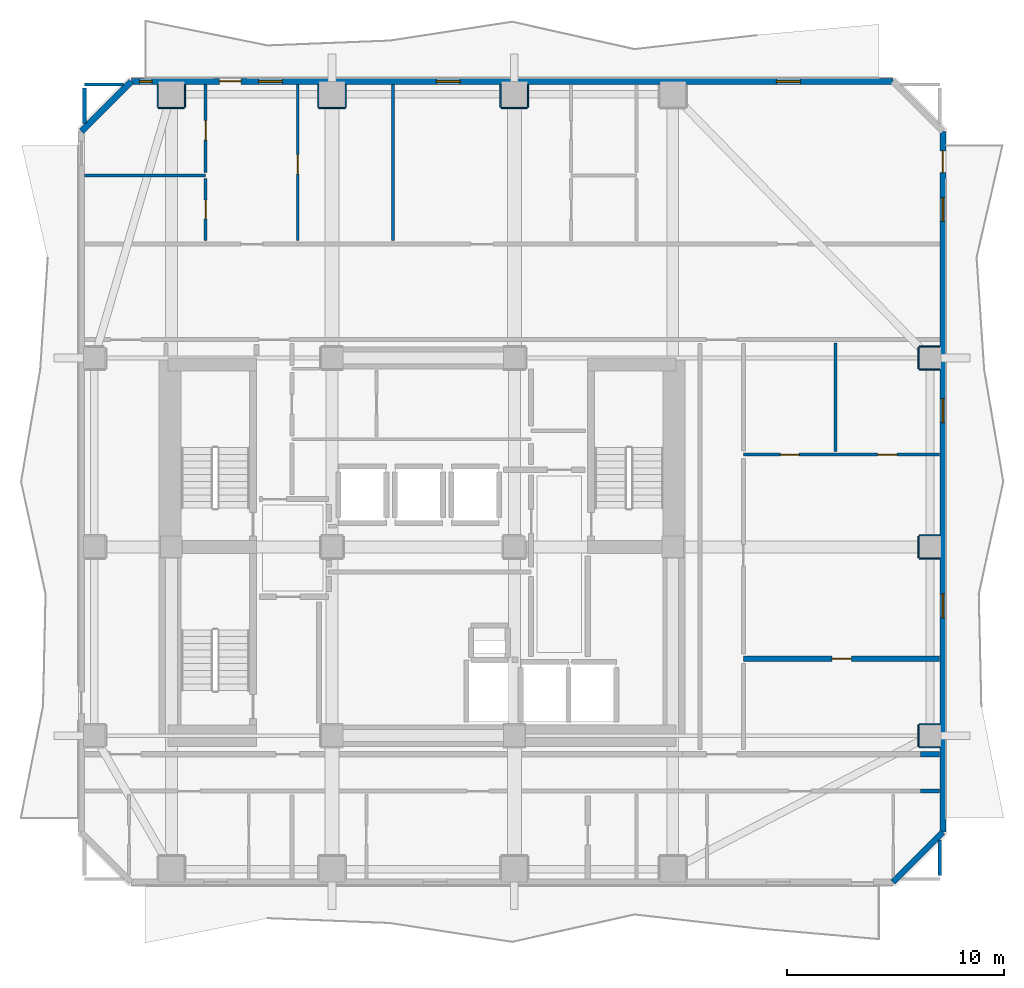
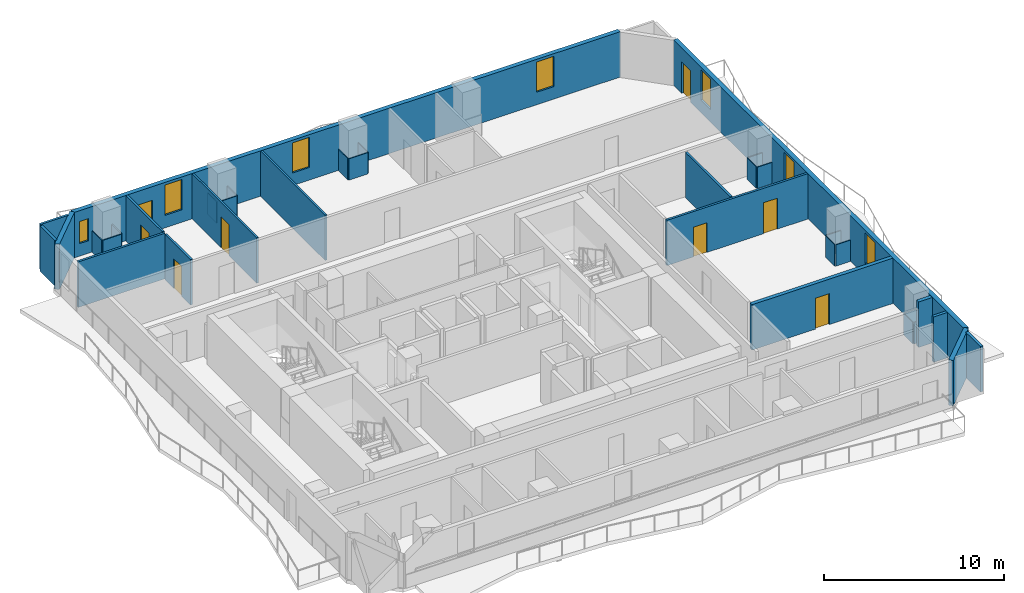
# One storey, part 5 of 9: 35 walls, 8 doors, 7 windows, 15 openings.
"""IFC4 building model written with IfcOpenShell, lengths in metres."""

import ifcopenshell
import ifcopenshell.guid

model = None  # the IFC model being written
_history = None  # IfcOwnerHistory: only IFC2X3 demands one
_inside = {}  # id of a spatial element -> (the spatial element, [elements in it])
_under = {}  # id of a project, library or spatial element -> (it, [spatial elements below it])
_declared = {}  # id of a project -> (the project, [libraries it declares])
_typed = {}  # id of a type object -> (the type object, [elements of that type])
_made_of = {}  # id of a material, layer set ... -> (it, [elements and type objects made of it])


def new_model(schema):
    """Start an empty IFC model of exactly this schema.

    Asked for "IFC4X3", IfcOpenShell would pick the latest addendum, in which some entities
    have other attributes; the version numbers below select the first issue.
    IFC2X3 requires an IfcOwnerHistory on every rooted entity: one is made here for all.
    """
    global model, _history
    if schema == "IFC4X3":
        model = ifcopenshell.file(schema_version=(4, 3, 0, 0))
    else:
        model = ifcopenshell.file(schema=schema)
    _inside.clear()
    _under.clear()
    _declared.clear()
    _typed.clear()
    _made_of.clear()
    _history = None
    if model.schema == "IFC2X3":
        org = make("IfcOrganization", Name="unknown")
        user = make(
            "IfcPersonAndOrganization",
            ThePerson=make("IfcPerson", FamilyName="unknown"),
            TheOrganization=org,
        )
        app = make(
            "IfcApplication",
            ApplicationDeveloper=org,
            Version="unknown",
            ApplicationFullName="unknown",
            ApplicationIdentifier="unknown",
        )
        _history = make(
            "IfcOwnerHistory",
            OwningUser=user,
            OwningApplication=app,
            ChangeAction="ADDED",
            CreationDate=0,
        )
    return model


def make(cls, **values):
    """One entity of the class cls with the attributes given. An attribute that is None is left unset."""
    return model.create_entity(
        cls, **{name: value for name, value in values.items() if value is not None}
    )


def rooted(cls, **values):
    """An entity with a GlobalId (a new one), such as an element, a storey or a relation."""
    return make(cls, GlobalId=ifcopenshell.guid.new(), OwnerHistory=_history, **values)


def si_unit(unit_type, name, prefix=None):
    """IfcSIUnit, for example si_unit("LENGTHUNIT", "METRE", prefix="MILLI")."""
    return make("IfcSIUnit", UnitType=unit_type, Prefix=prefix, Name=name)


def assignment(units):
    """IfcUnitAssignment: the units of a project."""
    return None if units is None else make("IfcUnitAssignment", Units=units)


def point(xyz):
    """IfcCartesianPoint."""
    return None if xyz is None else make("IfcCartesianPoint", Coordinates=xyz)


def direction(xyz):
    """IfcDirection."""
    return None if xyz is None else make("IfcDirection", DirectionRatios=xyz)


def frame(location, z_axis=None, x_axis=None):
    """IfcAxis2Placement3D, a coordinate frame: its origin and axes. An axis left out is left unset."""
    return make(
        "IfcAxis2Placement3D",
        Location=point(location),
        Axis=direction(z_axis),
        RefDirection=direction(x_axis),
    )


def frame_2d(location, x_axis=None):
    """IfcAxis2Placement2D, a coordinate frame in the plane: its origin and x axis."""
    return make(
        "IfcAxis2Placement2D", Location=point(location), RefDirection=direction(x_axis)
    )


def origin():
    """The frame at (0, 0, 0) with its axes left unset."""
    return frame((0.0, 0.0, 0.0))


def place(relative_to, where):
    """IfcLocalPlacement: puts the frame where relative to a parent placement (None: the world)."""
    return make(
        "IfcLocalPlacement", PlacementRelTo=relative_to, RelativePlacement=where
    )


def context(
    kind, dimensions, precision=None, world=None, true_north=None, identifier=None
):
    """IfcGeometricRepresentationContext, for example the 3D "Model" context."""
    return make(
        "IfcGeometricRepresentationContext",
        ContextIdentifier=identifier,
        ContextType=kind,
        CoordinateSpaceDimension=dimensions,
        Precision=precision,
        WorldCoordinateSystem=world,
        TrueNorth=true_north,
    )


def subcontext(parent, identifier, kind, view, scale=None):
    """IfcGeometricRepresentationSubContext, for example "Body" below "Model"."""
    return make(
        "IfcGeometricRepresentationSubContext",
        ContextIdentifier=identifier,
        ContextType=kind,
        ParentContext=parent,
        TargetScale=scale,
        TargetView=view,
    )


def project(units=None, contexts=None):
    """IfcProject with its units and contexts."""
    return rooted(
        "IfcProject",
        Name="project",
        RepresentationContexts=contexts,
        UnitsInContext=assignment(units),
    )


def spatial(cls, under=None, at=None, **own):
    """A site, building, storey or space (cls), placed at a placement, below another one or the project."""
    s = rooted(cls, ObjectPlacement=at, **own)
    if under is not None:
        _under.setdefault(under.id(), (under, []))[1].append(s)
    return s


def profile(cls, at=None, kind="AREA", **sizes):
    """A parametric profile (cls). Its sizes go by their IFC names, for example OverallWidth=200.0."""
    return make(cls, ProfileType=kind, Position=at, **sizes)


def rectangle(**sizes):
    """IfcRectangleProfileDef."""
    return profile("IfcRectangleProfileDef", **sizes)


def extrude(swept, where, along, depth):
    """IfcExtrudedAreaSolid: the profile swept, set in the frame where, extruded along a direction by depth."""
    return make(
        "IfcExtrudedAreaSolid",
        SweptArea=swept,
        Position=where,
        ExtrudedDirection=direction(along),
        Depth=depth,
    )


def shape(context_of_items, identifier, shape_type, items):
    """IfcShapeRepresentation: the items that make up one representation, for example the "Body"."""
    return make(
        "IfcShapeRepresentation",
        ContextOfItems=context_of_items,
        RepresentationIdentifier=identifier,
        RepresentationType=shape_type,
        Items=items,
    )


def material(Name=None, Category=None):
    """IfcMaterial."""
    return make("IfcMaterial", Name=Name, Category=Category)


def layer(
    of_material, thickness, ventilated=None, Name=None, Category=None, Priority=None
):
    """IfcMaterialLayer: one layer of a wall or slab, of a material (None: an air gap)."""
    return make(
        "IfcMaterialLayer",
        Material=of_material,
        LayerThickness=thickness,
        IsVentilated=ventilated,
        Name=Name,
        Category=Category,
        Priority=Priority,
    )


def layer_set(layers, Name=None):
    """IfcMaterialLayerSet."""
    return make("IfcMaterialLayerSet", MaterialLayers=layers, LayerSetName=Name)


def made_of(thing, what):
    """Note that an element or type object is made of a material, layer set ...; save() writes the relation."""
    if what is not None:
        _made_of.setdefault(what.id(), (what, []))[1].append(thing)
    return thing


def type_object(cls, material=None, **own):
    """A type object (cls), such as IfcWallType, which elements share."""
    return made_of(rooted(cls, **own), material)


def element(
    cls,
    number,
    at=None,
    inside=None,
    cuts=None,
    type_object=None,
    material=None,
    context=None,
    identifier="Body",
    shape_type=None,
    held_by="IfcProductDefinitionShape",
    body=None,
    shapes=None,
    **own,
):
    """One element of the class cls, such as IfcWall. Its Tag is "e" and its number.

    at: its placement. inside: the storey or other place that contains it. cuts: it is an
    opening in that element (IfcRelVoidsElement). A single representation is given by context,
    identifier, shape_type and body (its items); several are given by shapes. held_by: the class
    of the entity that holds the representations. save() writes the other relations.
    """
    e = rooted(cls, Tag="e%d" % number, ObjectPlacement=at, **own)
    if body is not None:
        shapes = [shape(context, identifier, shape_type, body)]
    if shapes is not None:
        e.Representation = make(held_by, Representations=shapes)
    if inside is not None:
        _inside.setdefault(inside.id(), (inside, []))[1].append(e)
    if cuts is not None:
        rooted(
            "IfcRelVoidsElement", RelatingBuildingElement=cuts, RelatedOpeningElement=e
        )
    if type_object is not None:
        _typed.setdefault(type_object.id(), (type_object, []))[1].append(e)
    return made_of(e, material)


def fill(opening, filler):
    """IfcRelFillsElement: the door or window that sits in an opening."""
    return rooted(
        "IfcRelFillsElement",
        RelatingOpeningElement=opening,
        RelatedBuildingElement=filler,
    )


def aggregate(whole, parts):
    """IfcRelAggregates: a whole, such as a stair, and the parts it consists of."""
    return rooted("IfcRelAggregates", RelatingObject=whole, RelatedObjects=parts)


def save(model, path):
    """Write the relations noted so far, then the file.

    IfcRelAggregates (storeys below a building ...), IfcRelContainedInSpatialStructure (elements
    in a storey), IfcRelDefinesByType, IfcRelAssociatesMaterial and IfcRelDeclares: one each for
    every whole, place, type object, material and project.
    """
    for whole, parts in _under.values():
        aggregate(whole, parts)
    for where, things in _inside.values():
        rooted(
            "IfcRelContainedInSpatialStructure",
            RelatedElements=things,
            RelatingStructure=where,
        )
    for kind, things in _typed.values():
        rooted("IfcRelDefinesByType", RelatedObjects=things, RelatingType=kind)
    for what, things in _made_of.values():
        rooted("IfcRelAssociatesMaterial", RelatedObjects=things, RelatingMaterial=what)
    for by, libraries in _declared.values():
        rooted("IfcRelDeclares", RelatingContext=by, RelatedDefinitions=libraries)
    model.write(path)


model = new_model("IFC4")

# Units and contexts
model_context = context("Model", 3, precision=1e-05, world=origin(), true_north=direction((0.0, 1.0)))
body_context = subcontext(model_context, "Body", "Model", "MODEL_VIEW")
ifc_project = project(units=[si_unit("LENGTHUNIT", "METRE"), si_unit("AREAUNIT", "SQUARE_METRE"), si_unit("VOLUMEUNIT", "CUBIC_METRE"), si_unit("PLANEANGLEUNIT", "RADIAN"), si_unit("MASSUNIT", "GRAM", prefix="KILO")], contexts=[model_context])

# Site, building, storey
site_placement = place(None, origin())
site = spatial("IfcSite", under=ifc_project, at=site_placement, CompositionType="ELEMENT")
building_placement = place(site_placement, origin())
building = spatial("IfcBuilding", under=site, at=building_placement, Name="Solanera Arch Residences", CompositionType="ELEMENT")
storey_placement = place(building_placement, frame((0.0, 0.0, 155.8798828125)))
storey = spatial("IfcBuildingStorey", under=building, at=storey_placement, Name="L45", CompositionType="ELEMENT", Elevation=155.8798828125)

# Walls
ifc_material_1 = material(Name="Fire-Rated Gypsum Stud Partition", Category="gypsum")
ifc_layer_1 = layer(ifc_material_1, 0.06005859375)
ifc_layer_set_1 = layer_set([ifc_layer_1], Name="Fire-Rated Gypsum Stud Partition")
wall_type_1 = type_object("IfcWallType", Name="Column Acoustic Furring Wall 60", PredefinedType="PARTITIONING", material=ifc_layer_set_1)
wall_1_placement = place(storey_placement, frame((12.800048828125, 50.91796875, 0.0), z_axis=(0.0, 0.0, 1.0), x_axis=(1.0, 0.0, 0.0)))
element("IfcWall", 1, at=wall_1_placement, inside=storey, type_object=wall_type_1, Name="L45 Column Furring 10S", PredefinedType="PARTITIONING", context=body_context, shape_type="SweptSolid", body=[
    extrude(rectangle(XDim=1.199951171875, YDim=0.06005859375, at=frame_2d((0.60009765625, 0.0))), origin(), (0.0, 0.0, 1.0), 1.4501953125),
])
for number, where, z_axis, x_axis, name in (
    (2, (12.76806640625, 50.949951171875, 0.0), (0.0, 0.0, 1.0), (0.0, 1.0, 0.0), "L45 Column Furring 10W"),
    (3, (14.031982421875, 50.949951171875, 0.0), (0.0, 0.0, 1.0), (0.0, 1.0, 0.0), "L45 Column Furring 10E"),
):
    element("IfcWall", number, at=place(storey_placement, frame(where, z_axis=z_axis, x_axis=x_axis)), inside=storey, type_object=wall_type_1, Name=name, PredefinedType="PARTITIONING", context=body_context, shape_type="SweptSolid", body=[
        extrude(rectangle(XDim=1.0400390625, YDim=0.06005859375, at=frame_2d((0.52001953125, 0.0))), origin(), (0.0, 0.0, 1.0), 1.4501953125),
    ])
wall_2_placement = place(storey_placement, frame((20.199951171875, 50.91796875, 0.0), z_axis=(0.0, 0.0, 1.0), x_axis=(1.0, 0.0, 0.0)))
element("IfcWall", 4, at=wall_2_placement, inside=storey, type_object=wall_type_1, Name="L45 Column Furring 12S", PredefinedType="PARTITIONING", context=body_context, shape_type="SweptSolid", body=[
    extrude(rectangle(XDim=1.199951171875, YDim=0.06005859375, at=frame_2d((0.60009765625, 0.0))), origin(), (0.0, 0.0, 1.0), 1.4501953125),
])
for number, where, z_axis, x_axis, name in (
    (5, (20.16796875, 50.949951171875, 0.0), (0.0, 0.0, 1.0), (0.0, 1.0, 0.0), "L45 Column Furring 12W"),
    (6, (21.431884765625, 50.949951171875, 0.0), (0.0, 0.0, 1.0), (0.0, 1.0, 0.0), "L45 Column Furring 12E"),
):
    element("IfcWall", number, at=place(storey_placement, frame(where, z_axis=z_axis, x_axis=x_axis)), inside=storey, type_object=wall_type_1, Name=name, PredefinedType="PARTITIONING", context=body_context, shape_type="SweptSolid", body=[
        extrude(rectangle(XDim=1.0400390625, YDim=0.06005859375, at=frame_2d((0.52001953125, 0.0))), origin(), (0.0, 0.0, 1.0), 1.4501953125),
    ])
wall_3_placement = place(storey_placement, frame((28.60009765625, 50.91796875, 0.0), z_axis=(0.0, 0.0, 1.0), x_axis=(1.0, 0.0, 0.0)))
element("IfcWall", 7, at=wall_3_placement, inside=storey, type_object=wall_type_1, Name="L45 Column Furring 14S", PredefinedType="PARTITIONING", context=body_context, shape_type="SweptSolid", body=[
    extrude(rectangle(XDim=1.199951171875, YDim=0.06005859375, at=frame_2d((0.60009765625, 0.0))), origin(), (0.0, 0.0, 1.0), 1.4501953125),
])
for number, where, z_axis, x_axis, name in (
    (8, (28.568115234375, 50.949951171875, 0.0), (0.0, 0.0, 1.0), (0.0, 1.0, 0.0), "L45 Column Furring 14W"),
    (9, (29.83203125, 50.949951171875, 0.0), (0.0, 0.0, 1.0), (0.0, 1.0, 0.0), "L45 Column Furring 14E"),
):
    element("IfcWall", number, at=place(storey_placement, frame(where, z_axis=z_axis, x_axis=x_axis)), inside=storey, type_object=wall_type_1, Name=name, PredefinedType="PARTITIONING", context=body_context, shape_type="SweptSolid", body=[
        extrude(rectangle(XDim=1.0400390625, YDim=0.06005859375, at=frame_2d((0.52001953125, 0.0))), origin(), (0.0, 0.0, 1.0), 1.4501953125),
    ])
for number, where, z_axis, x_axis, name in (
    (10, (47.85009765625, 21.468017578125, 0.0), (0.0, 0.0, 1.0), (1.0, 0.0, 0.0), "L45 Column Furring 18S"),
    (11, (47.85009765625, 22.531982421875, 0.0), (0.0, 0.0, 1.0), (1.0, 0.0, 0.0), "L45 Column Furring 18N"),
):
    element("IfcWall", number, at=place(storey_placement, frame(where, z_axis=z_axis, x_axis=x_axis)), inside=storey, type_object=wall_type_1, Name=name, PredefinedType="PARTITIONING", context=body_context, shape_type="SweptSolid", body=[
        extrude(rectangle(XDim=0.93994140625, YDim=0.06005859375, at=frame_2d((0.469970703125, 0.0))), origin(), (0.0, 0.0, 1.0), 1.4501953125),
    ])
wall_4_placement = place(storey_placement, frame((47.818115234375, 21.5, 0.0), z_axis=(0.0, 0.0, 1.0), x_axis=(0.0, 1.0, 0.0)))
element("IfcWall", 12, at=wall_4_placement, inside=storey, type_object=wall_type_1, Name="L45 Column Furring 18W", PredefinedType="PARTITIONING", context=body_context, shape_type="SweptSolid", body=[
    extrude(rectangle(XDim=1.0, YDim=0.06005859375, at=frame_2d((0.5, 0.0))), origin(), (0.0, 0.0, 1.0), 1.4501953125),
])
for number, where, z_axis, x_axis, name in (
    (13, (47.85009765625, 30.16796875, 0.0), (0.0, 0.0, 1.0), (1.0, 0.0, 0.0), "L45 Column Furring 20S"),
    (14, (47.85009765625, 31.23193359375, 0.0), (0.0, 0.0, 1.0), (1.0, 0.0, 0.0), "L45 Column Furring 20N"),
):
    element("IfcWall", number, at=place(storey_placement, frame(where, z_axis=z_axis, x_axis=x_axis)), inside=storey, type_object=wall_type_1, Name=name, PredefinedType="PARTITIONING", context=body_context, shape_type="SweptSolid", body=[
        extrude(rectangle(XDim=0.93994140625, YDim=0.06005859375, at=frame_2d((0.469970703125, 0.0))), origin(), (0.0, 0.0, 1.0), 1.4501953125),
    ])
wall_5_placement = place(storey_placement, frame((47.818115234375, 30.199951171875, 0.0), z_axis=(0.0, 0.0, 1.0), x_axis=(0.0, 1.0, 0.0)))
element("IfcWall", 15, at=wall_5_placement, inside=storey, type_object=wall_type_1, Name="L45 Column Furring 20W", PredefinedType="PARTITIONING", context=body_context, shape_type="SweptSolid", body=[
    extrude(rectangle(XDim=1.0, YDim=0.06005859375, at=frame_2d((0.5, 0.0))), origin(), (0.0, 0.0, 1.0), 1.4501953125),
])
for number, where, z_axis, x_axis, name in (
    (16, (47.85009765625, 38.867919921875, 0.0), (0.0, 0.0, 1.0), (1.0, 0.0, 0.0), "L45 Column Furring 22S"),
    (17, (47.85009765625, 39.931884765625, 0.0), (0.0, 0.0, 1.0), (1.0, 0.0, 0.0), "L45 Column Furring 22N"),
):
    element("IfcWall", number, at=place(storey_placement, frame(where, z_axis=z_axis, x_axis=x_axis)), inside=storey, type_object=wall_type_1, Name=name, PredefinedType="PARTITIONING", context=body_context, shape_type="SweptSolid", body=[
        extrude(rectangle(XDim=0.93994140625, YDim=0.06005859375, at=frame_2d((0.469970703125, 0.0))), origin(), (0.0, 0.0, 1.0), 1.4501953125),
    ])
wall_6_placement = place(storey_placement, frame((47.818115234375, 38.89990234375, 0.0), z_axis=(0.0, 0.0, 1.0), x_axis=(0.0, 1.0, 0.0)))
element("IfcWall", 18, at=wall_6_placement, inside=storey, type_object=wall_type_1, Name="L45 Column Furring 22W", PredefinedType="PARTITIONING", context=body_context, shape_type="SweptSolid", body=[
    extrude(rectangle(XDim=1.0, YDim=0.06005859375, at=frame_2d((0.5, 0.0))), origin(), (0.0, 0.0, 1.0), 1.4501953125),
])
ifc_material_2 = material(Name="Autoclaved Aerated Concrete Blockwork", Category="masonry")
ifc_layer_2 = layer(ifc_material_2, 0.179931640625)
ifc_layer_set_2 = layer_set([ifc_layer_2], Name="Autoclaved Aerated Concrete Blockwork")
wall_type_2 = type_object("IfcWallType", Name="Corridor Fire Partition 180", PredefinedType="PARTITIONING", material=ifc_layer_set_2)
wall_7_placement = place(storey_placement, frame((47.910888671875, 19.449951171875, 0.0), z_axis=(0.0, 0.0, 1.0), x_axis=(1.0, 0.0, 0.0)))
element("IfcWall", 19, at=wall_7_placement, inside=storey, type_object=wall_type_2, Name="L45 Interior Partition H7 3", PredefinedType="PARTITIONING", context=body_context, shape_type="SweptSolid", body=[
    extrude(rectangle(XDim=0.882080078125, YDim=0.179931640625, at=frame_2d((0.44091796875, 0.0))), origin(), (0.0, 0.0, 1.0), 3.080078125),
])
for number, where, z_axis, x_axis, name in (
    (20, (9.39990234375, 50.205078125, 0.0), (0.0, 0.0, 1.0), (0.0, 1.0, 0.0), "L45 Interior Partition V7 2"),
    (21, (48.800048828125, 15.568115234375, 0.0), (0.0, 0.0, 1.0), (0.0, 1.0, 0.0), "L45 Interior Partition V14 1"),
):
    element("IfcWall", number, at=place(storey_placement, frame(where, z_axis=z_axis, x_axis=x_axis)), inside=storey, type_object=wall_type_2, Name=name, PredefinedType="PARTITIONING", context=body_context, shape_type="SweptSolid", body=[
        extrude(rectangle(XDim=1.626953125, YDim=0.179931640625, at=frame_2d((0.8134765625, 0.0))), origin(), (0.0, 0.0, 1.0), 3.080078125),
    ])
ifc_material_3 = material(Name="Precast Concrete C35/45", Category="concrete")
ifc_layer_3 = layer(ifc_material_3, 0.280029296875)
ifc_layer_set_3 = layer_set([ifc_layer_3], Name="Precast Concrete C35/45")
wall_type_3 = type_object("IfcWallType", Name="Exterior Wall Precast Masonry-Frame 280", PredefinedType="STANDARD", material=ifc_layer_set_3)
wall_8_placement = place(storey_placement, frame((9.2548828125, 49.844970703125, 0.0), z_axis=(0.0, 0.0, 1.0), x_axis=(0.707106781187, 0.707106781187, 0.0)))
element("IfcWall", 22, at=wall_8_placement, inside=storey, type_object=wall_type_3, Name="L45 Tower Exterior Precast Masonry-Frame Wall CH1", PredefinedType="STANDARD", context=body_context, shape_type="SweptSolid", body=[
    extrude(rectangle(XDim=3.252685546875, YDim=0.280029296875, at=frame_2d((1.62646484375, 0.0))), origin(), (0.0, 0.0, 1.0), 3.080078125),
])

# Wall, openings, door, windows
wall_9_placement = place(storey_placement, frame((11.554931640625, 52.14501953125, 0.0), z_axis=(0.0, 0.0, 1.0), x_axis=(1.0, 0.0, 0.0)))
wall_9 = element("IfcWall", 23, at=wall_9_placement, inside=storey, type_object=wall_type_3, Name="L45 Tower Exterior Precast Masonry-Frame Wall N", PredefinedType="STANDARD", context=body_context, shape_type="SweptSolid", body=[
    extrude(rectangle(XDim=35.090087890625, YDim=0.280029296875, at=frame_2d((17.544921875, 0.0))), origin(), (0.0, 0.0, 1.0), 3.080078125),
])
opening_1_placement = place(wall_9_placement, frame((4.06201171875, 0.0, 0.0)))
opening_1 = element("IfcOpeningElement", 24, at=opening_1_placement, cuts=wall_9, Name="Opening DB-01", PredefinedType="OPENING", context=body_context, shape_type="SweptSolid", body=[
    extrude(rectangle(XDim=1.0, YDim=2.14990234375, at=frame_2d((0.5, 1.074951171875))), frame((0.0, 0.14990234375, 0.0), z_axis=(0.0, -1.0, 0.0), x_axis=(1.0, 0.0, 0.0)), (0.0, 0.0, 1.0), 0.3),
])
opening_2_placement = place(wall_9_placement, frame((5.863037109375, 0.0, 0.85009765625)))
opening_2 = element("IfcOpeningElement", 25, at=opening_2_placement, cuts=wall_9, Name="Opening W-11", PredefinedType="OPENING", context=body_context, shape_type="SweptSolid", body=[
    extrude(rectangle(XDim=1.10009765625, YDim=2.050048828125, at=frame_2d((0.550048828125, 1.02490234375))), frame((0.0, 0.14990234375, 0.0), z_axis=(0.0, -1.0, 0.0), x_axis=(1.0, 0.0, 0.0)), (0.0, 0.0, 1.0), 0.3),
])
opening_3_placement = place(wall_9_placement, frame((0.3779296875, 0.0, 0.85009765625)))
opening_3 = element("IfcOpeningElement", 26, at=opening_3_placement, cuts=wall_9, Name="Opening W-14", PredefinedType="OPENING", context=body_context, shape_type="SweptSolid", body=[
    extrude(rectangle(XDim=0.580078125, YDim=1.5, at=frame_2d((0.2900390625, 0.75))), frame((0.0, 0.14990234375, 0.0), z_axis=(0.0, -1.0, 0.0), x_axis=(1.0, 0.0, 0.0)), (0.0, 0.0, 1.0), 0.3),
])
opening_4_placement = place(wall_9_placement, frame((14.050048828125, 0.0, 0.85009765625)))
opening_4 = element("IfcOpeningElement", 27, at=opening_4_placement, cuts=wall_9, Name="Opening W-11", PredefinedType="OPENING", context=body_context, shape_type="SweptSolid", body=[
    extrude(rectangle(XDim=1.10009765625, YDim=2.050048828125, at=frame_2d((0.550048828125, 1.02490234375))), frame((0.0, 0.14990234375, 0.0), z_axis=(0.0, -1.0, 0.0), x_axis=(1.0, 0.0, 0.0)), (0.0, 0.0, 1.0), 0.3),
])
opening_5_placement = place(wall_9_placement, frame((29.722900390625, 0.0, 0.85009765625)))
opening_5 = element("IfcOpeningElement", 28, at=opening_5_placement, cuts=wall_9, Name="Opening W-11", PredefinedType="OPENING", context=body_context, shape_type="SweptSolid", body=[
    extrude(rectangle(XDim=1.10009765625, YDim=2.050048828125, at=frame_2d((0.550048828125, 1.02490234375))), frame((0.0, 0.14990234375, 0.0), z_axis=(0.0, -1.0, 0.0), x_axis=(1.0, 0.0, 0.0)), (0.0, 0.0, 1.0), 0.3),
])
ifc_material_4 = material(Name="Anodised Aluminium Alloy 6063-T6", Category="aluminium")
door_type_1 = type_object("IfcDoorType", Name="Glazed Balcony Swing Door DB-01", OperationType="NOTDEFINED", PredefinedType="DOOR", material=ifc_material_4)
door_1_placement = place(opening_1_placement, origin())
door_1 = element("IfcDoor", 29, at=door_1_placement, inside=storey, type_object=door_type_1, Name="DR-L45-OUT-02", OperationType="SINGLE_SWING_RIGHT", OverallHeight=2.14990234375, OverallWidth=1.0, PredefinedType="DOOR", context=body_context, shape_type="SweptSolid", body=[
    extrude(rectangle(XDim=1.0, YDim=2.14990234375, at=frame_2d((0.5, 1.074951171875))), frame((0.0, 0.02490234375, 0.0), z_axis=(0.0, -1.0, 0.0), x_axis=(1.0, 0.0, 0.0)), (0.0, 0.0, 1.0), 0.050048828125),
])
fill(opening_1, door_1)
ifc_material_5 = material(Name="Double Glazed Low-E Laminated Glass", Category="glass")
window_type_1 = type_object("IfcWindowType", Name="Punched Window W-11", PartitioningType="SINGLE_PANEL", PredefinedType="WINDOW", material=ifc_material_5)
window_1_placement = place(opening_2_placement, origin())
window_1 = element("IfcWindow", 30, at=window_1_placement, inside=storey, type_object=window_type_1, Name="L45 4504-LIV Punched Window", OverallHeight=2.050048828125, OverallWidth=1.10009765625, PartitioningType="SINGLE_PANEL", PredefinedType="WINDOW", context=body_context, shape_type="SweptSolid", body=[
    extrude(rectangle(XDim=1.10009765625, YDim=2.050048828125, at=frame_2d((0.550048828125, 1.02490234375))), frame((0.0, 0.030029296875, 0.0), z_axis=(0.0, -1.0, 0.0), x_axis=(1.0, 0.0, 0.0)), (0.0, 0.0, 1.0), 0.06005859375),
])
fill(opening_2, window_1)
window_2_placement = place(opening_4_placement, origin())
window_2 = element("IfcWindow", 31, at=window_2_placement, inside=storey, type_object=window_type_1, Name="L45 4505-LIV Punched Window", OverallHeight=2.050048828125, OverallWidth=1.10009765625, PartitioningType="SINGLE_PANEL", PredefinedType="WINDOW", context=body_context, shape_type="SweptSolid", body=[
    extrude(rectangle(XDim=1.10009765625, YDim=2.050048828125, at=frame_2d((0.550048828125, 1.02490234375))), frame((0.0, 0.030029296875, 0.0), z_axis=(0.0, -1.0, 0.0), x_axis=(1.0, 0.0, 0.0)), (0.0, 0.0, 1.0), 0.06005859375),
])
fill(opening_4, window_2)
window_3_placement = place(opening_5_placement, origin())
window_3 = element("IfcWindow", 32, at=window_3_placement, inside=storey, type_object=window_type_1, Name="L45 AMN-LOUN Punched Window", OverallHeight=2.050048828125, OverallWidth=1.10009765625, PartitioningType="SINGLE_PANEL", PredefinedType="WINDOW", context=body_context, shape_type="SweptSolid", body=[
    extrude(rectangle(XDim=1.10009765625, YDim=2.050048828125, at=frame_2d((0.550048828125, 1.02490234375))), frame((0.0, 0.030029296875, 0.0), z_axis=(0.0, -1.0, 0.0), x_axis=(1.0, 0.0, 0.0)), (0.0, 0.0, 1.0), 0.06005859375),
])
fill(opening_5, window_3)
ifc_material_6 = material(Name="Double Glazed Low-E Laminated Glass", Category="glass")
window_type_2 = type_object("IfcWindowType", Name="Punched Window W-14", PartitioningType="SINGLE_PANEL", PredefinedType="WINDOW", material=ifc_material_6)
window_4_placement = place(opening_3_placement, origin())
window_4 = element("IfcWindow", 33, at=window_4_placement, inside=storey, type_object=window_type_2, Name="L45 4504-BR1 Punched Window", OverallHeight=1.5, OverallWidth=0.580078125, PartitioningType="SINGLE_PANEL", PredefinedType="WINDOW", context=body_context, shape_type="SweptSolid", body=[
    extrude(rectangle(XDim=0.580078125, YDim=1.5, at=frame_2d((0.2900390625, 0.75))), frame((0.0, 0.030029296875, 0.0), z_axis=(0.0, -1.0, 0.0), x_axis=(1.0, 0.0, 0.0)), (0.0, 0.0, 1.0), 0.06005859375),
])
fill(opening_3, window_4)

wall_10_placement = place(storey_placement, frame((48.945068359375, 49.844970703125, 0.0), z_axis=(0.0, 0.0, 1.0), x_axis=(0.0, -1.0, 0.0)))
wall_10 = element("IfcWall", 34, at=wall_10_placement, inside=storey, type_object=wall_type_3, Name="L45 Tower Exterior Precast Masonry-Frame Wall E", PredefinedType="STANDARD", context=body_context, shape_type="SweptSolid", body=[
    extrude(rectangle(XDim=32.2900390625, YDim=0.280029296875, at=frame_2d((16.14501953125, 0.0))), origin(), (0.0, 0.0, 1.0), 3.080078125),
])
opening_6_placement = place(wall_10_placement, frame((0.904052734375, 0.0, 0.0)))
opening_6 = element("IfcOpeningElement", 35, at=opening_6_placement, cuts=wall_10, Name="Opening DB-01", PredefinedType="OPENING", context=body_context, shape_type="SweptSolid", body=[
    extrude(rectangle(XDim=1.0, YDim=2.14990234375, at=frame_2d((0.5, 1.074951171875))), frame((0.0, 0.14990234375, 0.0), z_axis=(0.0, -1.0, 0.0), x_axis=(1.0, 0.0, 0.0)), (0.0, 0.0, 1.0), 0.3),
])
opening_7_placement = place(wall_10_placement, frame((3.049072265625, 0.0, 0.85009765625)))
opening_7 = element("IfcOpeningElement", 36, at=opening_7_placement, cuts=wall_10, Name="Opening W-11", PredefinedType="OPENING", context=body_context, shape_type="SweptSolid", body=[
    extrude(rectangle(XDim=1.10009765625, YDim=2.050048828125, at=frame_2d((0.550048828125, 1.02490234375))), frame((0.0, 0.14990234375, 0.0), z_axis=(0.0, -1.0, 0.0), x_axis=(1.0, 0.0, 0.0)), (0.0, 0.0, 1.0), 0.3),
])
opening_8_placement = place(wall_10_placement, frame((21.31103515625, 0.0, 0.85009765625)))
opening_8 = element("IfcOpeningElement", 37, at=opening_8_placement, cuts=wall_10, Name="Opening W-11", PredefinedType="OPENING", context=body_context, shape_type="SweptSolid", body=[
    extrude(rectangle(XDim=1.10009765625, YDim=2.050048828125, at=frame_2d((0.550048828125, 1.02490234375))), frame((0.0, 0.14990234375, 0.0), z_axis=(0.0, -1.0, 0.0), x_axis=(1.0, 0.0, 0.0)), (0.0, 0.0, 1.0), 0.3),
])
opening_9_placement = place(wall_10_placement, frame((12.320068359375, 0.0, 0.85009765625)))
opening_9 = element("IfcOpeningElement", 38, at=opening_9_placement, cuts=wall_10, Name="Opening W-11", PredefinedType="OPENING", context=body_context, shape_type="SweptSolid", body=[
    extrude(rectangle(XDim=1.10009765625, YDim=2.050048828125, at=frame_2d((0.550048828125, 1.02490234375))), frame((0.0, 0.14990234375, 0.0), z_axis=(0.0, -1.0, 0.0), x_axis=(1.0, 0.0, 0.0)), (0.0, 0.0, 1.0), 0.3),
])
door_2_placement = place(opening_6_placement, origin())
door_2 = element("IfcDoor", 39, at=door_2_placement, inside=storey, type_object=door_type_1, Name="DR-L45-OUT-03", OperationType="SINGLE_SWING_LEFT", OverallHeight=2.14990234375, OverallWidth=1.0, PredefinedType="DOOR", context=body_context, shape_type="SweptSolid", body=[
    extrude(rectangle(XDim=1.0, YDim=2.14990234375, at=frame_2d((0.5, 1.074951171875))), frame((0.0, 0.02490234375, 0.0), z_axis=(0.0, -1.0, 0.0), x_axis=(1.0, 0.0, 0.0)), (0.0, 0.0, 1.0), 0.050048828125),
])
fill(opening_6, door_2)
window_5_placement = place(opening_7_placement, origin())
window_5 = element("IfcWindow", 40, at=window_5_placement, inside=storey, type_object=window_type_1, Name="L45 AMN-LOUN Punched Window", OverallHeight=2.050048828125, OverallWidth=1.10009765625, PartitioningType="SINGLE_PANEL", PredefinedType="WINDOW", context=body_context, shape_type="SweptSolid", body=[
    extrude(rectangle(XDim=1.10009765625, YDim=2.050048828125, at=frame_2d((0.550048828125, 1.02490234375))), frame((0.0, 0.030029296875, 0.0), z_axis=(0.0, -1.0, 0.0), x_axis=(1.0, 0.0, 0.0)), (0.0, 0.0, 1.0), 0.06005859375),
])
fill(opening_7, window_5)
window_6_placement = place(opening_8_placement, origin())
window_6 = element("IfcWindow", 41, at=window_6_placement, inside=storey, type_object=window_type_1, Name="L45 4506-LIV Punched Window", OverallHeight=2.050048828125, OverallWidth=1.10009765625, PartitioningType="SINGLE_PANEL", PredefinedType="WINDOW", context=body_context, shape_type="SweptSolid", body=[
    extrude(rectangle(XDim=1.10009765625, YDim=2.050048828125, at=frame_2d((0.550048828125, 1.02490234375))), frame((0.0, 0.030029296875, 0.0), z_axis=(0.0, -1.0, 0.0), x_axis=(1.0, 0.0, 0.0)), (0.0, 0.0, 1.0), 0.06005859375),
])
fill(opening_8, window_6)
window_7_placement = place(opening_9_placement, origin())
window_7 = element("IfcWindow", 42, at=window_7_placement, inside=storey, type_object=window_type_1, Name="L45 4506-BR1 Punched Window", OverallHeight=2.050048828125, OverallWidth=1.10009765625, PartitioningType="SINGLE_PANEL", PredefinedType="WINDOW", context=body_context, shape_type="SweptSolid", body=[
    extrude(rectangle(XDim=1.10009765625, YDim=2.050048828125, at=frame_2d((0.550048828125, 1.02490234375))), frame((0.0, 0.030029296875, 0.0), z_axis=(0.0, -1.0, 0.0), x_axis=(1.0, 0.0, 0.0)), (0.0, 0.0, 1.0), 0.06005859375),
])
fill(opening_9, window_7)

# Walls
wall_11_placement = place(storey_placement, frame((48.945068359375, 17.554931640625, 0.0), z_axis=(0.0, 0.0, 1.0), x_axis=(-0.707106781187, -0.707106781187, 0.0)))
element("IfcWall", 43, at=wall_11_placement, inside=storey, type_object=wall_type_3, Name="L45 Tower Exterior Precast Masonry-Frame Wall CH5", PredefinedType="STANDARD", context=body_context, shape_type="SweptSolid", body=[
    extrude(rectangle(XDim=3.252685546875, YDim=0.280029296875, at=frame_2d((1.62646484375, 0.0))), origin(), (0.0, 0.0, 1.0), 3.080078125),
])
ifc_material_7 = material(Name="Autoclaved Aerated Concrete Blockwork", Category="masonry")
ifc_layer_4 = layer(ifc_material_7, 0.239990234375)
ifc_layer_set_4 = layer_set([ifc_layer_4], Name="Autoclaved Aerated Concrete Blockwork")
wall_type_4 = type_object("IfcWallType", Name="Shaft Wall Fire-Rated 240", PredefinedType="PARTITIONING", material=ifc_layer_set_4)
wall_12_placement = place(storey_placement, frame((47.910888671875, 21.14990234375, 0.0), z_axis=(0.0, 0.0, 1.0), x_axis=(1.0, 0.0, 0.0)))
element("IfcWall", 44, at=wall_12_placement, inside=storey, type_object=wall_type_4, Name="L45 Interior Partition H1 3", PredefinedType="PARTITIONING", context=body_context, shape_type="SweptSolid", body=[
    extrude(rectangle(XDim=0.882080078125, YDim=0.239990234375, at=frame_2d((0.44091796875, 0.0))), origin(), (0.0, 0.0, 1.0), 3.080078125),
])

# Wall, opening, door
wall_13_placement = place(storey_placement, frame((39.75, 25.550048828125, 0.0), z_axis=(0.0, 0.0, 1.0), x_axis=(1.0, 0.0, 0.0)))
wall_13 = element("IfcWall", 45, at=wall_13_placement, inside=storey, type_object=wall_type_4, Name="L45 Interior Partition H3", PredefinedType="PARTITIONING", context=body_context, shape_type="SweptSolid", body=[
    extrude(rectangle(XDim=9.04296875, YDim=0.239990234375, at=frame_2d((4.521484375, 0.0))), origin(), (0.0, 0.0, 1.0), 3.080078125),
])
opening_10_placement = place(wall_13_placement, frame((4.074951171875, 0.0, 0.0)))
opening_10 = element("IfcOpeningElement", 46, at=opening_10_placement, cuts=wall_13, Name="Opening DI-02", PredefinedType="OPENING", context=body_context, shape_type="SweptSolid", body=[
    extrude(rectangle(XDim=0.89990234375, YDim=2.10009765625, at=frame_2d((0.449951171875, 1.050048828125))), frame((0.0, 0.1298828125, 0.0), z_axis=(0.0, -1.0, 0.0), x_axis=(1.0, 0.0, 0.0)), (0.0, 0.0, 1.0), 0.26),
])
ifc_material_8 = material(Name="Fire-Rated Architectural Hardwood", Category="wood")
door_type_2 = type_object("IfcDoorType", Name="Suite Room Swing Door DI-02", OperationType="NOTDEFINED", PredefinedType="DOOR", material=ifc_material_8)
door_3_placement = place(opening_10_placement, origin())
door_3 = element("IfcDoor", 47, at=door_3_placement, inside=storey, type_object=door_type_2, Name="DR-L45-IN-034", OperationType="SINGLE_SWING_LEFT", OverallHeight=2.10009765625, OverallWidth=0.89990234375, PredefinedType="DOOR", context=body_context, shape_type="SweptSolid", body=[
    extrude(rectangle(XDim=0.89990234375, YDim=2.10009765625, at=frame_2d((0.449951171875, 1.050048828125))), frame((0.0, 0.02490234375, 0.0), z_axis=(0.0, -1.0, 0.0), x_axis=(1.0, 0.0, 0.0)), (0.0, 0.0, 1.0), 0.050048828125),
])
fill(opening_10, door_3)

ifc_material_9 = material(Name="Fire-Rated Gypsum Stud Partition", Category="gypsum")
ifc_layer_5 = layer(ifc_material_9, 0.1201171875)
ifc_layer_set_5 = layer_set([ifc_layer_5], Name="Fire-Rated Gypsum Stud Partition")
wall_type_5 = type_object("IfcWallType", Name="Unit Drywall Partition 120", PredefinedType="PARTITIONING", material=ifc_layer_set_5)
wall_14_placement = place(storey_placement, frame((19.219970703125, 44.80810546875, 0.0), z_axis=(0.0, 0.0, 1.0), x_axis=(0.0, 1.0, 0.0)))
wall_14 = element("IfcWall", 48, at=wall_14_placement, inside=storey, type_object=wall_type_5, Name="L45 Interior Partition V24", PredefinedType="PARTITIONING", context=body_context, shape_type="SweptSolid", body=[
    extrude(rectangle(XDim=7.184814453125, YDim=0.1201171875, at=frame_2d((3.59228515625, 0.0))), origin(), (0.0, 0.0, 1.0), 3.080078125),
])
opening_11_placement = place(wall_14_placement, frame((3.06689453125, 0.0, 0.0)))
opening_11 = element("IfcOpeningElement", 49, at=opening_11_placement, cuts=wall_14, Name="Opening DI-02", PredefinedType="OPENING", context=body_context, shape_type="SweptSolid", body=[
    extrude(rectangle(XDim=0.89990234375, YDim=2.10009765625, at=frame_2d((0.449951171875, 1.050048828125))), frame((0.0, 0.070068359375, 0.0), z_axis=(0.0, -1.0, 0.0), x_axis=(1.0, 0.0, 0.0)), (0.0, 0.0, 1.0), 0.1401),
])
door_4_placement = place(opening_11_placement, origin())
door_4 = element("IfcDoor", 50, at=door_4_placement, inside=storey, type_object=door_type_2, Name="DR-L45-IN-028", OperationType="SINGLE_SWING_LEFT", OverallHeight=2.10009765625, OverallWidth=0.89990234375, PredefinedType="DOOR", context=body_context, shape_type="SweptSolid", body=[
    extrude(rectangle(XDim=0.89990234375, YDim=2.10009765625, at=frame_2d((0.449951171875, 1.050048828125))), frame((0.0, 0.02490234375, 0.0), z_axis=(0.0, -1.0, 0.0), x_axis=(1.0, 0.0, 0.0)), (0.0, 0.0, 1.0), 0.050048828125),
])
fill(opening_11, door_4)

# Wall
wall_15_placement = place(storey_placement, frame((23.610107421875, 44.80810546875, 0.0), z_axis=(0.0, 0.0, 1.0), x_axis=(0.0, 1.0, 0.0)))
element("IfcWall", 51, at=wall_15_placement, inside=storey, type_object=wall_type_5, Name="L45 Interior Partition V26", PredefinedType="PARTITIONING", context=body_context, shape_type="SweptSolid", body=[
    extrude(rectangle(XDim=7.184814453125, YDim=0.1201171875, at=frame_2d((3.59228515625, 0.0))), origin(), (0.0, 0.0, 1.0), 3.080078125),
])

# Wall, openings, doors
ifc_material_10 = material(Name="Autoclaved Aerated Concrete Blockwork", Category="masonry")
ifc_layer_6 = layer(ifc_material_10, 0.139892578125)
ifc_layer_set_6 = layer_set([ifc_layer_6], Name="Autoclaved Aerated Concrete Blockwork")
wall_type_6 = type_object("IfcWallType", Name="Wet-Room Partition 140", PredefinedType="PARTITIONING", material=ifc_layer_set_6)
wall_16_placement = place(storey_placement, frame((39.75, 34.949951171875, 0.0), z_axis=(0.0, 0.0, 1.0), x_axis=(1.0, 0.0, 0.0)))
wall_16 = element("IfcWall", 52, at=wall_16_placement, inside=storey, type_object=wall_type_6, Name="L45 Interior Partition H14", PredefinedType="PARTITIONING", context=body_context, shape_type="SweptSolid", body=[
    extrude(rectangle(XDim=9.04296875, YDim=0.139892578125, at=frame_2d((4.521484375, 0.0))), origin(), (0.0, 0.0, 1.0), 3.080078125),
])
opening_12_placement = place(wall_16_placement, frame((1.7080078125, 0.0, 0.0)))
opening_12 = element("IfcOpeningElement", 53, at=opening_12_placement, cuts=wall_16, Name="Opening DI-05", PredefinedType="OPENING", context=body_context, shape_type="SweptSolid", body=[
    extrude(rectangle(XDim=0.860107421875, YDim=2.02001953125, at=frame_2d((0.43017578125, 1.010009765625))), frame((0.0, 0.079833984375, 0.0), z_axis=(0.0, -1.0, 0.0), x_axis=(1.0, 0.0, 0.0)), (0.0, 0.0, 1.0), 0.1599),
])
opening_13_placement = place(wall_16_placement, frame((6.18701171875, 0.0, 0.0)))
opening_13 = element("IfcOpeningElement", 54, at=opening_13_placement, cuts=wall_16, Name="Opening DI-03", PredefinedType="OPENING", context=body_context, shape_type="SweptSolid", body=[
    extrude(rectangle(XDim=0.89990234375, YDim=2.10009765625, at=frame_2d((0.449951171875, 1.050048828125))), frame((0.0, 0.079833984375, 0.0), z_axis=(0.0, -1.0, 0.0), x_axis=(1.0, 0.0, 0.0)), (0.0, 0.0, 1.0), 0.1599),
])
ifc_material_11 = material(Name="Fire-Rated Architectural Hardwood", Category="wood")
door_type_3 = type_object("IfcDoorType", Name="Bathroom Swing Door DI-05", OperationType="NOTDEFINED", PredefinedType="DOOR", material=ifc_material_11)
door_5_placement = place(opening_12_placement, origin())
door_5 = element("IfcDoor", 55, at=door_5_placement, inside=storey, type_object=door_type_3, Name="DR-L45-IN-035", OperationType="SINGLE_SWING_RIGHT", OverallHeight=2.02001953125, OverallWidth=0.860107421875, PredefinedType="DOOR", context=body_context, shape_type="SweptSolid", body=[
    extrude(rectangle(XDim=0.860107421875, YDim=2.02001953125, at=frame_2d((0.43017578125, 1.010009765625))), frame((0.0, 0.02490234375, 0.0), z_axis=(0.0, -1.0, 0.0), x_axis=(1.0, 0.0, 0.0)), (0.0, 0.0, 1.0), 0.050048828125),
])
fill(opening_12, door_5)
ifc_material_12 = material(Name="Fire-Rated Architectural Hardwood", Category="wood")
door_type_4 = type_object("IfcDoorType", Name="Bedroom Swing Door DI-03", OperationType="NOTDEFINED", PredefinedType="DOOR", material=ifc_material_12)
door_6_placement = place(opening_13_placement, origin())
door_6 = element("IfcDoor", 56, at=door_6_placement, inside=storey, type_object=door_type_4, Name="DR-L45-IN-036", OperationType="SINGLE_SWING_LEFT", OverallHeight=2.10009765625, OverallWidth=0.89990234375, PredefinedType="DOOR", context=body_context, shape_type="SweptSolid", body=[
    extrude(rectangle(XDim=0.89990234375, YDim=2.10009765625, at=frame_2d((0.449951171875, 1.050048828125))), frame((0.0, 0.02490234375, 0.0), z_axis=(0.0, -1.0, 0.0), x_axis=(1.0, 0.0, 0.0)), (0.0, 0.0, 1.0), 0.050048828125),
])
fill(opening_13, door_6)

# Walls
wall_17_placement = place(storey_placement, frame((9.406982421875, 47.81005859375, 0.0), z_axis=(0.0, 0.0, 1.0), x_axis=(1.0, 0.0, 0.0)))
element("IfcWall", 57, at=wall_17_placement, inside=storey, type_object=wall_type_6, Name="L45 Interior Partition H15", PredefinedType="PARTITIONING", context=body_context, shape_type="SweptSolid", body=[
    extrude(rectangle(XDim=5.572998046875, YDim=0.139892578125, at=frame_2d((2.78662109375, 0.0))), origin(), (0.0, 0.0, 1.0), 3.080078125),
])
wall_18_placement = place(storey_placement, frame((9.39990234375, 52.0, 0.0), z_axis=(0.0, 0.0, 1.0), x_axis=(1.0, 0.0, 0.0)))
element("IfcWall", 58, at=wall_18_placement, inside=storey, type_object=wall_type_6, Name="L45 Interior Partition H17 1", PredefinedType="PARTITIONING", context=body_context, shape_type="SweptSolid", body=[
    extrude(rectangle(XDim=1.795166015625, YDim=0.139892578125, at=frame_2d((0.8974609375, 0.0))), origin(), (0.0, 0.0, 1.0), 3.080078125),
])

# Wall, opening, door
wall_19_placement = place(storey_placement, frame((14.97998046875, 44.818115234375, 0.0), z_axis=(0.0, 0.0, 1.0), x_axis=(0.0, 1.0, 0.0)))
wall_19 = element("IfcWall", 59, at=wall_19_placement, inside=storey, type_object=wall_type_6, Name="L45 Interior Partition V16 1", PredefinedType="PARTITIONING", context=body_context, shape_type="SweptSolid", body=[
    extrude(rectangle(XDim=2.843994140625, YDim=0.139892578125, at=frame_2d((1.421875, 0.0))), origin(), (0.0, 0.0, 1.0), 3.080078125),
])
opening_14_placement = place(wall_19_placement, frame((0.9951171875, 0.0, 0.0)))
opening_14 = element("IfcOpeningElement", 60, at=opening_14_placement, cuts=wall_19, Name="Opening DI-05", PredefinedType="OPENING", context=body_context, shape_type="SweptSolid", body=[
    extrude(rectangle(XDim=0.860107421875, YDim=2.02001953125, at=frame_2d((0.43017578125, 1.010009765625))), frame((0.0, 0.079833984375, 0.0), z_axis=(0.0, -1.0, 0.0), x_axis=(1.0, 0.0, 0.0)), (0.0, 0.0, 1.0), 0.1599),
])
door_7_placement = place(opening_14_placement, origin())
door_7 = element("IfcDoor", 61, at=door_7_placement, inside=storey, type_object=door_type_3, Name="DR-L45-IN-026", OperationType="SINGLE_SWING_LEFT", OverallHeight=2.02001953125, OverallWidth=0.860107421875, PredefinedType="DOOR", context=body_context, shape_type="SweptSolid", body=[
    extrude(rectangle(XDim=0.860107421875, YDim=2.02001953125, at=frame_2d((0.43017578125, 1.010009765625))), frame((0.0, 0.02490234375, 0.0), z_axis=(0.0, -1.0, 0.0), x_axis=(1.0, 0.0, 0.0)), (0.0, 0.0, 1.0), 0.050048828125),
])
fill(opening_14, door_7)

wall_20_placement = place(storey_placement, frame((14.97998046875, 47.9580078125, 0.0), z_axis=(0.0, 0.0, 1.0), x_axis=(0.0, 1.0, 0.0)))
wall_20 = element("IfcWall", 62, at=wall_20_placement, inside=storey, type_object=wall_type_6, Name="L45 Interior Partition V16 2", PredefinedType="PARTITIONING", context=body_context, shape_type="SweptSolid", body=[
    extrude(rectangle(XDim=4.034912109375, YDim=0.139892578125, at=frame_2d((2.017578125, 0.0))), origin(), (0.0, 0.0, 1.0), 3.080078125),
])
opening_15_placement = place(wall_20_placement, frame((1.48388671875, 0.0, 0.0)))
opening_15 = element("IfcOpeningElement", 63, at=opening_15_placement, cuts=wall_20, Name="Opening DI-03", PredefinedType="OPENING", context=body_context, shape_type="SweptSolid", body=[
    extrude(rectangle(XDim=0.89990234375, YDim=2.10009765625, at=frame_2d((0.449951171875, 1.050048828125))), frame((0.0, 0.079833984375, 0.0), z_axis=(0.0, -1.0, 0.0), x_axis=(1.0, 0.0, 0.0)), (0.0, 0.0, 1.0), 0.1599),
])
door_8_placement = place(opening_15_placement, origin())
door_8 = element("IfcDoor", 64, at=door_8_placement, inside=storey, type_object=door_type_4, Name="DR-L45-IN-027", OperationType="SINGLE_SWING_RIGHT", OverallHeight=2.10009765625, OverallWidth=0.89990234375, PredefinedType="DOOR", context=body_context, shape_type="SweptSolid", body=[
    extrude(rectangle(XDim=0.89990234375, YDim=2.10009765625, at=frame_2d((0.449951171875, 1.050048828125))), frame((0.0, 0.02490234375, 0.0), z_axis=(0.0, -1.0, 0.0), x_axis=(1.0, 0.0, 0.0)), (0.0, 0.0, 1.0), 0.050048828125),
])
fill(opening_15, door_8)

# Wall
wall_21_placement = place(storey_placement, frame((44.0, 35.097900390625, 0.0), z_axis=(0.0, 0.0, 1.0), x_axis=(0.0, 1.0, 0.0)))
element("IfcWall", 65, at=wall_21_placement, inside=storey, type_object=wall_type_6, Name="L45 Interior Partition V22", PredefinedType="PARTITIONING", context=body_context, shape_type="SweptSolid", body=[
    extrude(rectangle(XDim=4.984130859375, YDim=0.139892578125, at=frame_2d((2.4921875, 0.0))), origin(), (0.0, 0.0, 1.0), 3.080078125),
])

save(model, "model.ifc")
